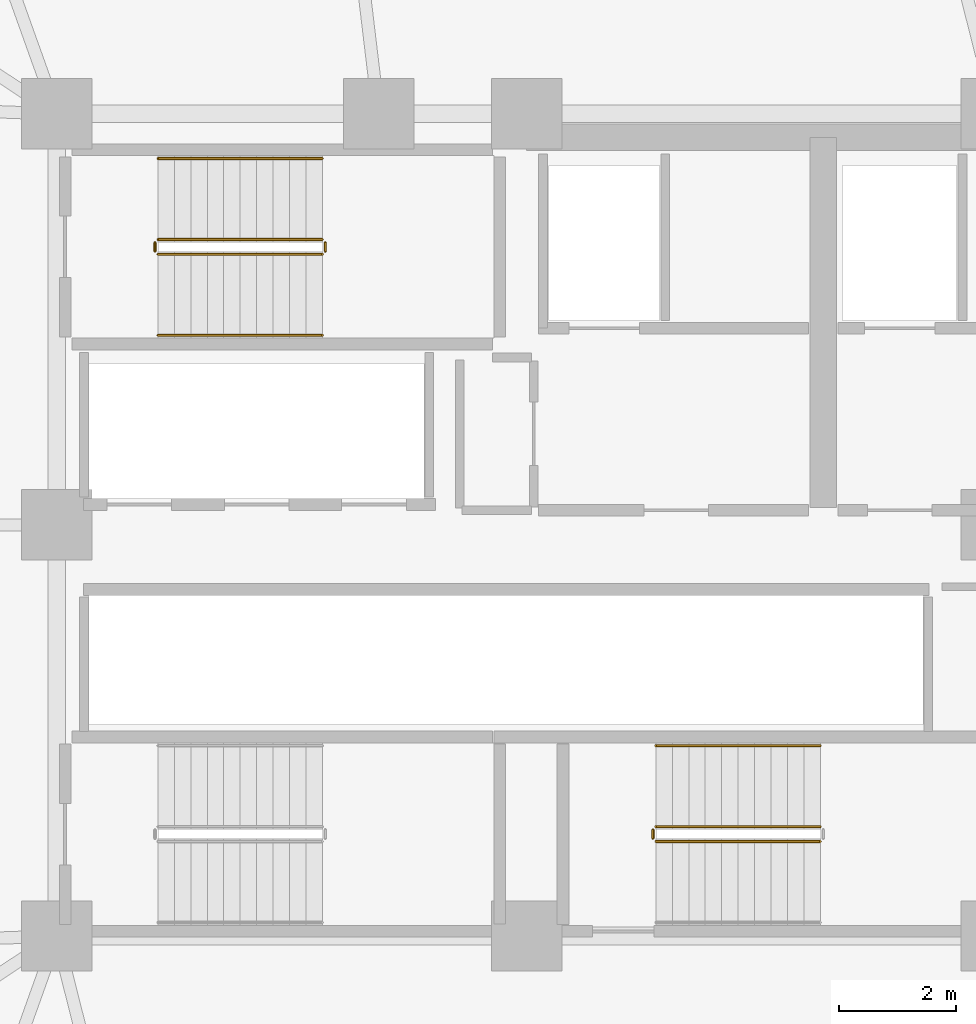
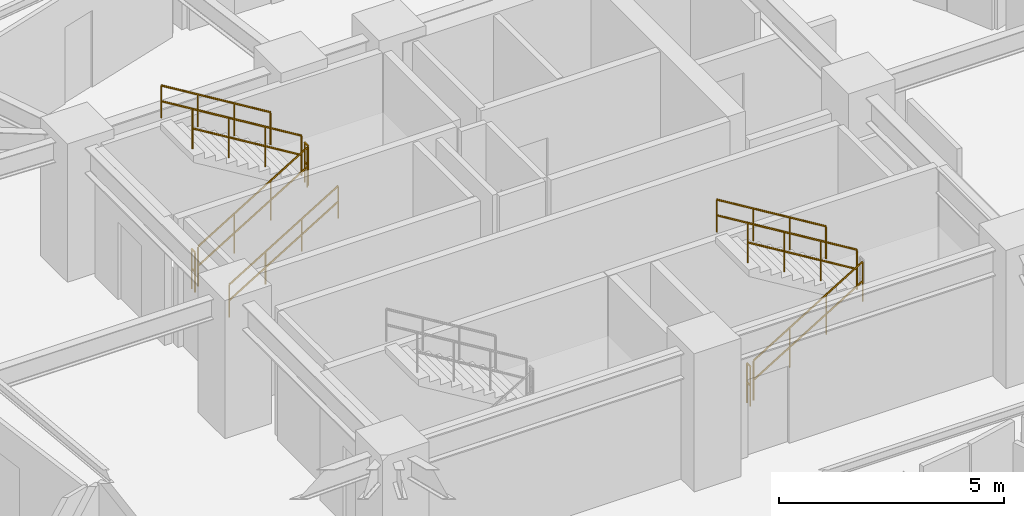
# One storey, part 35 of 37: 10 railings.
"""IFC4 building model written with IfcOpenShell, lengths in metres."""

import ifcopenshell
import ifcopenshell.guid

model = None  # the IFC model being written
_history = None  # IfcOwnerHistory: only IFC2X3 demands one
_inside = {}  # id of a spatial element -> (the spatial element, [elements in it])
_under = {}  # id of a project, library or spatial element -> (it, [spatial elements below it])
_declared = {}  # id of a project -> (the project, [libraries it declares])
_typed = {}  # id of a type object -> (the type object, [elements of that type])
_made_of = {}  # id of a material, layer set ... -> (it, [elements and type objects made of it])


def new_model(schema):
    """Start an empty IFC model of exactly this schema.

    Asked for "IFC4X3", IfcOpenShell would pick the latest addendum, in which some entities
    have other attributes; the version numbers below select the first issue.
    IFC2X3 requires an IfcOwnerHistory on every rooted entity: one is made here for all.
    """
    global model, _history
    if schema == "IFC4X3":
        model = ifcopenshell.file(schema_version=(4, 3, 0, 0))
    else:
        model = ifcopenshell.file(schema=schema)
    _inside.clear()
    _under.clear()
    _declared.clear()
    _typed.clear()
    _made_of.clear()
    _history = None
    if model.schema == "IFC2X3":
        org = make("IfcOrganization", Name="unknown")
        user = make(
            "IfcPersonAndOrganization",
            ThePerson=make("IfcPerson", FamilyName="unknown"),
            TheOrganization=org,
        )
        app = make(
            "IfcApplication",
            ApplicationDeveloper=org,
            Version="unknown",
            ApplicationFullName="unknown",
            ApplicationIdentifier="unknown",
        )
        _history = make(
            "IfcOwnerHistory",
            OwningUser=user,
            OwningApplication=app,
            ChangeAction="ADDED",
            CreationDate=0,
        )
    return model


def make(cls, **values):
    """One entity of the class cls with the attributes given. An attribute that is None is left unset."""
    return model.create_entity(
        cls, **{name: value for name, value in values.items() if value is not None}
    )


def rooted(cls, **values):
    """An entity with a GlobalId (a new one), such as an element, a storey or a relation."""
    return make(cls, GlobalId=ifcopenshell.guid.new(), OwnerHistory=_history, **values)


def si_unit(unit_type, name, prefix=None):
    """IfcSIUnit, for example si_unit("LENGTHUNIT", "METRE", prefix="MILLI")."""
    return make("IfcSIUnit", UnitType=unit_type, Prefix=prefix, Name=name)


def assignment(units):
    """IfcUnitAssignment: the units of a project."""
    return None if units is None else make("IfcUnitAssignment", Units=units)


def point(xyz):
    """IfcCartesianPoint."""
    return None if xyz is None else make("IfcCartesianPoint", Coordinates=xyz)


def direction(xyz):
    """IfcDirection."""
    return None if xyz is None else make("IfcDirection", DirectionRatios=xyz)


def frame(location, z_axis=None, x_axis=None):
    """IfcAxis2Placement3D, a coordinate frame: its origin and axes. An axis left out is left unset."""
    return make(
        "IfcAxis2Placement3D",
        Location=point(location),
        Axis=direction(z_axis),
        RefDirection=direction(x_axis),
    )


def origin():
    """The frame at (0, 0, 0) with its axes left unset."""
    return frame((0.0, 0.0, 0.0))


def place(relative_to, where):
    """IfcLocalPlacement: puts the frame where relative to a parent placement (None: the world)."""
    return make(
        "IfcLocalPlacement", PlacementRelTo=relative_to, RelativePlacement=where
    )


def context(
    kind, dimensions, precision=None, world=None, true_north=None, identifier=None
):
    """IfcGeometricRepresentationContext, for example the 3D "Model" context."""
    return make(
        "IfcGeometricRepresentationContext",
        ContextIdentifier=identifier,
        ContextType=kind,
        CoordinateSpaceDimension=dimensions,
        Precision=precision,
        WorldCoordinateSystem=world,
        TrueNorth=true_north,
    )


def subcontext(parent, identifier, kind, view, scale=None):
    """IfcGeometricRepresentationSubContext, for example "Body" below "Model"."""
    return make(
        "IfcGeometricRepresentationSubContext",
        ContextIdentifier=identifier,
        ContextType=kind,
        ParentContext=parent,
        TargetScale=scale,
        TargetView=view,
    )


def project(units=None, contexts=None):
    """IfcProject with its units and contexts."""
    return rooted(
        "IfcProject",
        Name="project",
        RepresentationContexts=contexts,
        UnitsInContext=assignment(units),
    )


def spatial(cls, under=None, at=None, **own):
    """A site, building, storey or space (cls), placed at a placement, below another one or the project."""
    s = rooted(cls, ObjectPlacement=at, **own)
    if under is not None:
        _under.setdefault(under.id(), (under, []))[1].append(s)
    return s


def polyline(points):
    """IfcPolyline through the points."""
    return make("IfcPolyline", Points=[point(p) for p in points])


def outline(outer, holes=None, kind="AREA"):
    """IfcArbitraryClosedProfileDef: a profile drawn as a closed curve; with holes, ...WithVoids."""
    if holes is None:
        return make("IfcArbitraryClosedProfileDef", ProfileType=kind, OuterCurve=outer)
    return make(
        "IfcArbitraryProfileDefWithVoids",
        ProfileType=kind,
        OuterCurve=outer,
        InnerCurves=holes,
    )


def extrude(swept, where, along, depth):
    """IfcExtrudedAreaSolid: the profile swept, set in the frame where, extruded along a direction by depth."""
    return make(
        "IfcExtrudedAreaSolid",
        SweptArea=swept,
        Position=where,
        ExtrudedDirection=direction(along),
        Depth=depth,
    )


def shape(context_of_items, identifier, shape_type, items):
    """IfcShapeRepresentation: the items that make up one representation, for example the "Body"."""
    return make(
        "IfcShapeRepresentation",
        ContextOfItems=context_of_items,
        RepresentationIdentifier=identifier,
        RepresentationType=shape_type,
        Items=items,
    )


def material(Name=None, Category=None):
    """IfcMaterial."""
    return make("IfcMaterial", Name=Name, Category=Category)


def made_of(thing, what):
    """Note that an element or type object is made of a material, layer set ...; save() writes the relation."""
    if what is not None:
        _made_of.setdefault(what.id(), (what, []))[1].append(thing)
    return thing


def type_object(cls, material=None, **own):
    """A type object (cls), such as IfcWallType, which elements share."""
    return made_of(rooted(cls, **own), material)


def element(
    cls,
    number,
    at=None,
    inside=None,
    cuts=None,
    type_object=None,
    material=None,
    context=None,
    identifier="Body",
    shape_type=None,
    held_by="IfcProductDefinitionShape",
    body=None,
    shapes=None,
    **own,
):
    """One element of the class cls, such as IfcWall. Its Tag is "e" and its number.

    at: its placement. inside: the storey or other place that contains it. cuts: it is an
    opening in that element (IfcRelVoidsElement). A single representation is given by context,
    identifier, shape_type and body (its items); several are given by shapes. held_by: the class
    of the entity that holds the representations. save() writes the other relations.
    """
    e = rooted(cls, Tag="e%d" % number, ObjectPlacement=at, **own)
    if body is not None:
        shapes = [shape(context, identifier, shape_type, body)]
    if shapes is not None:
        e.Representation = make(held_by, Representations=shapes)
    if inside is not None:
        _inside.setdefault(inside.id(), (inside, []))[1].append(e)
    if cuts is not None:
        rooted(
            "IfcRelVoidsElement", RelatingBuildingElement=cuts, RelatedOpeningElement=e
        )
    if type_object is not None:
        _typed.setdefault(type_object.id(), (type_object, []))[1].append(e)
    return made_of(e, material)


def aggregate(whole, parts):
    """IfcRelAggregates: a whole, such as a stair, and the parts it consists of."""
    return rooted("IfcRelAggregates", RelatingObject=whole, RelatedObjects=parts)


def save(model, path):
    """Write the relations noted so far, then the file.

    IfcRelAggregates (storeys below a building ...), IfcRelContainedInSpatialStructure (elements
    in a storey), IfcRelDefinesByType, IfcRelAssociatesMaterial and IfcRelDeclares: one each for
    every whole, place, type object, material and project.
    """
    for whole, parts in _under.values():
        aggregate(whole, parts)
    for where, things in _inside.values():
        rooted(
            "IfcRelContainedInSpatialStructure",
            RelatedElements=things,
            RelatingStructure=where,
        )
    for kind, things in _typed.values():
        rooted("IfcRelDefinesByType", RelatedObjects=things, RelatingType=kind)
    for what, things in _made_of.values():
        rooted("IfcRelAssociatesMaterial", RelatedObjects=things, RelatingMaterial=what)
    for by, libraries in _declared.values():
        rooted("IfcRelDeclares", RelatingContext=by, RelatedDefinitions=libraries)
    model.write(path)


model = new_model("IFC4")

# Units and contexts
model_context = context("Model", 3, precision=1e-05, world=origin(), true_north=direction((0.0, 1.0)))
body_context = subcontext(model_context, "Body", "Model", "MODEL_VIEW")
ifc_project = project(units=[si_unit("LENGTHUNIT", "METRE"), si_unit("AREAUNIT", "SQUARE_METRE"), si_unit("VOLUMEUNIT", "CUBIC_METRE"), si_unit("PLANEANGLEUNIT", "RADIAN"), si_unit("MASSUNIT", "GRAM", prefix="KILO")], contexts=[model_context])

# Site, building, storey
site_placement = place(None, origin())
site = spatial("IfcSite", under=ifc_project, at=site_placement, CompositionType="ELEMENT")
building_placement = place(site_placement, origin())
building = spatial("IfcBuilding", under=site, at=building_placement, Name="Kelanora Arch Commons", CompositionType="ELEMENT")
storey_placement = place(building_placement, frame((0.0, 0.0, 113.85009765625)))
storey = spatial("IfcBuildingStorey", under=building, at=storey_placement, Name="L29", CompositionType="ELEMENT", Elevation=113.85009765625)

# Railings
ifc_material_1 = material(Name="Painted steel stair well guard", Category="steel")
railing_type_1 = type_object("IfcRailingType", Name="RAIL-STAIR-GRD", PredefinedType="GUARDRAIL", material=ifc_material_1)
railing_1_placement = place(storey_placement, frame((67.719970703125, 62.610107421875, 0.17041015625)))
element("IfcRailing", 1, at=railing_1_placement, inside=storey, type_object=railing_type_1, Name="L29 ST-T1 stair guard 1", PredefinedType="GUARDRAIL", context=body_context, shape_type="SweptSolid", body=[
    extrude(outline(polyline([(0.02392578125, 0.0), (0.011962890625, 0.020751953125), (-0.011962890625, 0.020751953125), (-0.02392578125, 0.0), (-0.011962890625, -0.020751953125), (0.011962890625, -0.020751953125), (0.02392578125, 0.0)])), frame((0.0, 0.0, 1.076171875), z_axis=(0.854169791009, 0.0, 0.51999420009), x_axis=(0.0, 1.0, 0.0)), (0.0, 0.0, 1.0), 3.278076171875),
    extrude(outline(polyline([(0.02392578125, 0.0), (0.011962890625, 0.020751953125), (-0.011962890625, 0.020751953125), (-0.02392578125, 0.0), (-0.011962890625, -0.020751953125), (0.011962890625, -0.020751953125), (0.02392578125, 0.0)])), frame((0.0, 0.0, 0.550048828125), z_axis=(0.854169791009, 0.0, 0.51999420009), x_axis=(0.0, 1.0, 0.0)), (0.0, 0.0, 1.0), 3.278076171875),
    extrude(outline(polyline([(0.02099609375, 0.0), (0.010498046875, 0.01806640625), (-0.010498046875, 0.01806640625), (-0.02099609375, 0.0), (-0.010498046875, -0.01806640625), (0.010498046875, -0.01806640625), (0.02099609375, 0.0)])), origin(), (0.0, 0.0, 1.0), 1.052001953125),
    extrude(outline(polyline([(0.02099609375, 0.0), (0.010498046875, 0.01806640625), (-0.010498046875, 0.01806640625), (-0.02099609375, 0.0), (-0.010498046875, -0.01806640625), (0.010498046875, -0.01806640625), (0.02099609375, 0.0)])), frame((0.933349609375, 0.0, 0.568115234375)), (0.0, 0.0, 1.0), 1.052001953125),
    extrude(outline(polyline([(0.02099609375, 0.0), (0.010498046875, 0.01806640625), (-0.010498046875, 0.01806640625), (-0.02099609375, 0.0), (-0.010498046875, -0.01806640625), (0.010498046875, -0.01806640625), (0.02099609375, 0.0)])), frame((1.86669921875, 0.0, 1.136474609375)), (0.0, 0.0, 1.0), 1.052001953125),
    extrude(outline(polyline([(0.02099609375, 0.0), (0.010498046875, 0.01806640625), (-0.010498046875, 0.01806640625), (-0.02099609375, 0.0), (-0.010498046875, -0.01806640625), (0.010498046875, -0.01806640625), (0.02099609375, 0.0)])), frame((2.800048828125, 0.0, 1.70458984375)), (0.0, 0.0, 1.0), 1.052001953125),
])
railing_2_placement = place(storey_placement, frame((70.570068359375, 62.659912109375, 1.875)))
element("IfcRailing", 2, at=railing_2_placement, inside=storey, type_object=railing_type_1, Name="L29 ST-T1 stair guard 2", PredefinedType="GUARDRAIL", context=body_context, shape_type="SweptSolid", body=[
    extrude(outline(polyline([(0.02392578125, 0.0), (0.011962890625, 0.020751953125), (-0.011962890625, 0.020751953125), (-0.02392578125, 0.0), (-0.011962890625, -0.020751953125), (0.011962890625, -0.020751953125), (0.02392578125, 0.0)])), frame((0.0, 0.0, 1.076171875), z_axis=(0.0, 1.0, 0.0), x_axis=(-1.0, 0.0, 0.0)), (0.0, 0.0, 1.0), 0.150146484375),
    extrude(outline(polyline([(0.02392578125, 0.0), (0.011962890625, 0.020751953125), (-0.011962890625, 0.020751953125), (-0.02392578125, 0.0), (-0.011962890625, -0.020751953125), (0.011962890625, -0.020751953125), (0.02392578125, 0.0)])), frame((0.0, 0.0, 0.550048828125), z_axis=(0.0, 1.0, 0.0), x_axis=(-1.0, 0.0, 0.0)), (0.0, 0.0, 1.0), 0.150146484375),
    extrude(outline(polyline([(0.02099609375, 0.0), (0.010498046875, 0.01806640625), (-0.010498046875, 0.01806640625), (-0.02099609375, 0.0), (-0.010498046875, -0.01806640625), (0.010498046875, -0.01806640625), (0.02099609375, 0.0)])), origin(), (0.0, 0.0, 1.0), 1.052001953125),
    extrude(outline(polyline([(0.02099609375, 0.0), (0.010498046875, 0.01806640625), (-0.010498046875, 0.01806640625), (-0.02099609375, 0.0), (-0.010498046875, -0.01806640625), (0.010498046875, -0.01806640625), (0.02099609375, 0.0)])), frame((0.0, 0.150146484375, 0.0)), (0.0, 0.0, 1.0), 1.052001953125),
])
railing_3_placement = place(storey_placement, frame((70.52001953125, 62.860107421875, 2.04541015625)))
element("IfcRailing", 3, at=railing_3_placement, inside=storey, type_object=railing_type_1, Name="L29 ST-T1 stair guard 3", PredefinedType="GUARDRAIL", context=body_context, shape_type="SweptSolid", body=[
    extrude(outline(polyline([(0.02392578125, 0.0), (0.011962890625, 0.020751953125), (-0.011962890625, 0.020751953125), (-0.02392578125, 0.0), (-0.011962890625, -0.020751953125), (0.011962890625, -0.020751953125), (0.02392578125, 0.0)])), frame((0.0, 0.0, 1.076171875), z_axis=(-0.854169791009, 0.0, 0.51999420009), x_axis=(0.0, -1.0, 0.0)), (0.0, 0.0, 1.0), 3.278076171875),
    extrude(outline(polyline([(0.02392578125, 0.0), (0.011962890625, 0.020751953125), (-0.011962890625, 0.020751953125), (-0.02392578125, 0.0), (-0.011962890625, -0.020751953125), (0.011962890625, -0.020751953125), (0.02392578125, 0.0)])), frame((0.0, 0.0, 0.550048828125), z_axis=(-0.854169791009, 0.0, 0.51999420009), x_axis=(0.0, -1.0, 0.0)), (0.0, 0.0, 1.0), 3.278076171875),
    extrude(outline(polyline([(0.02099609375, 0.0), (0.010498046875, 0.01806640625), (-0.010498046875, 0.01806640625), (-0.02099609375, 0.0), (-0.010498046875, -0.01806640625), (0.010498046875, -0.01806640625), (0.02099609375, 0.0)])), origin(), (0.0, 0.0, 1.0), 1.052001953125),
    extrude(outline(polyline([(0.02099609375, 0.0), (0.010498046875, 0.01806640625), (-0.010498046875, 0.01806640625), (-0.02099609375, 0.0), (-0.010498046875, -0.01806640625), (0.010498046875, -0.01806640625), (0.02099609375, 0.0)])), frame((-0.933349609375, 0.0, 0.568115234375)), (0.0, 0.0, 1.0), 1.052001953125),
    extrude(outline(polyline([(0.02099609375, 0.0), (0.010498046875, 0.01806640625), (-0.010498046875, 0.01806640625), (-0.02099609375, 0.0), (-0.010498046875, -0.01806640625), (0.010498046875, -0.01806640625), (0.02099609375, 0.0)])), frame((-1.86669921875, 0.0, 1.136474609375)), (0.0, 0.0, 1.0), 1.052001953125),
    extrude(outline(polyline([(0.02099609375, 0.0), (0.010498046875, 0.01806640625), (-0.010498046875, 0.01806640625), (-0.02099609375, 0.0), (-0.010498046875, -0.01806640625), (0.010498046875, -0.01806640625), (0.02099609375, 0.0)])), frame((-2.800048828125, 0.0, 1.70458984375)), (0.0, 0.0, 1.0), 1.052001953125),
])
railing_4_placement = place(storey_placement, frame((67.669921875, 62.659912109375, 0.0)))
element("IfcRailing", 4, at=railing_4_placement, inside=storey, type_object=railing_type_1, Name="L29 ST-T1 stair guard 4", PredefinedType="GUARDRAIL", context=body_context, shape_type="SweptSolid", body=[
    extrude(outline(polyline([(0.02392578125, 0.0), (0.011962890625, 0.020751953125), (-0.011962890625, 0.020751953125), (-0.02392578125, 0.0), (-0.011962890625, -0.020751953125), (0.011962890625, -0.020751953125), (0.02392578125, 0.0)])), frame((0.0, 0.0, 1.076171875), z_axis=(0.0, 1.0, 0.0), x_axis=(-1.0, 0.0, 0.0)), (0.0, 0.0, 1.0), 0.150146484375),
    extrude(outline(polyline([(0.02392578125, 0.0), (0.011962890625, 0.020751953125), (-0.011962890625, 0.020751953125), (-0.02392578125, 0.0), (-0.011962890625, -0.020751953125), (0.011962890625, -0.020751953125), (0.02392578125, 0.0)])), frame((0.0, 0.0, 0.550048828125), z_axis=(0.0, 1.0, 0.0), x_axis=(-1.0, 0.0, 0.0)), (0.0, 0.0, 1.0), 0.150146484375),
    extrude(outline(polyline([(0.02099609375, 0.0), (0.010498046875, 0.01806640625), (-0.010498046875, 0.01806640625), (-0.02099609375, 0.0), (-0.010498046875, -0.01806640625), (0.010498046875, -0.01806640625), (0.02099609375, 0.0)])), origin(), (0.0, 0.0, 1.0), 1.052001953125),
    extrude(outline(polyline([(0.02099609375, 0.0), (0.010498046875, 0.01806640625), (-0.010498046875, 0.01806640625), (-0.02099609375, 0.0), (-0.010498046875, -0.01806640625), (0.010498046875, -0.01806640625), (0.02099609375, 0.0)])), frame((0.0, 0.150146484375, 0.0)), (0.0, 0.0, 1.0), 1.052001953125),
])
railing_5_placement = place(storey_placement, frame((76.199951171875, 52.610107421875, 0.17041015625)))
element("IfcRailing", 5, at=railing_5_placement, inside=storey, type_object=railing_type_1, Name="L29 ST-T2 stair guard 1", PredefinedType="GUARDRAIL", context=body_context, shape_type="SweptSolid", body=[
    extrude(outline(polyline([(0.02392578125, 0.0), (0.011962890625, 0.020751953125), (-0.011962890625, 0.020751953125), (-0.02392578125, 0.0), (-0.011962890625, -0.020751953125), (0.011962890625, -0.020751953125), (0.02392578125, 0.0)])), frame((0.0, 0.0, 1.076171875), z_axis=(0.854169791009, 0.0, 0.51999420009), x_axis=(0.0, 1.0, 0.0)), (0.0, 0.0, 1.0), 3.278076171875),
    extrude(outline(polyline([(0.02392578125, 0.0), (0.011962890625, 0.020751953125), (-0.011962890625, 0.020751953125), (-0.02392578125, 0.0), (-0.011962890625, -0.020751953125), (0.011962890625, -0.020751953125), (0.02392578125, 0.0)])), frame((0.0, 0.0, 0.550048828125), z_axis=(0.854169791009, 0.0, 0.51999420009), x_axis=(0.0, 1.0, 0.0)), (0.0, 0.0, 1.0), 3.278076171875),
    extrude(outline(polyline([(0.02099609375, 0.0), (0.010498046875, 0.01806640625), (-0.010498046875, 0.01806640625), (-0.02099609375, 0.0), (-0.010498046875, -0.01806640625), (0.010498046875, -0.01806640625), (0.02099609375, 0.0)])), origin(), (0.0, 0.0, 1.0), 1.052001953125),
    extrude(outline(polyline([(0.02099609375, 0.0), (0.010498046875, 0.01806640625), (-0.010498046875, 0.01806640625), (-0.02099609375, 0.0), (-0.010498046875, -0.01806640625), (0.010498046875, -0.01806640625), (0.02099609375, 0.0)])), frame((0.933349609375, 0.0, 0.568115234375)), (0.0, 0.0, 1.0), 1.052001953125),
    extrude(outline(polyline([(0.02099609375, 0.0), (0.010498046875, 0.01806640625), (-0.010498046875, 0.01806640625), (-0.02099609375, 0.0), (-0.010498046875, -0.01806640625), (0.010498046875, -0.01806640625), (0.02099609375, 0.0)])), frame((1.86669921875, 0.0, 1.136474609375)), (0.0, 0.0, 1.0), 1.052001953125),
    extrude(outline(polyline([(0.02099609375, 0.0), (0.010498046875, 0.01806640625), (-0.010498046875, 0.01806640625), (-0.02099609375, 0.0), (-0.010498046875, -0.01806640625), (0.010498046875, -0.01806640625), (0.02099609375, 0.0)])), frame((2.800048828125, 0.0, 1.70458984375)), (0.0, 0.0, 1.0), 1.052001953125),
])
railing_6_placement = place(storey_placement, frame((79.0, 52.860107421875, 2.04541015625)))
element("IfcRailing", 6, at=railing_6_placement, inside=storey, type_object=railing_type_1, Name="L29 ST-T2 stair guard 3", PredefinedType="GUARDRAIL", context=body_context, shape_type="SweptSolid", body=[
    extrude(outline(polyline([(0.02392578125, 0.0), (0.011962890625, 0.020751953125), (-0.011962890625, 0.020751953125), (-0.02392578125, 0.0), (-0.011962890625, -0.020751953125), (0.011962890625, -0.020751953125), (0.02392578125, 0.0)])), frame((0.0, 0.0, 1.076171875), z_axis=(-0.854169791009, 0.0, 0.51999420009), x_axis=(0.0, -1.0, 0.0)), (0.0, 0.0, 1.0), 3.278076171875),
    extrude(outline(polyline([(0.02392578125, 0.0), (0.011962890625, 0.020751953125), (-0.011962890625, 0.020751953125), (-0.02392578125, 0.0), (-0.011962890625, -0.020751953125), (0.011962890625, -0.020751953125), (0.02392578125, 0.0)])), frame((0.0, 0.0, 0.550048828125), z_axis=(-0.854169791009, 0.0, 0.51999420009), x_axis=(0.0, -1.0, 0.0)), (0.0, 0.0, 1.0), 3.278076171875),
    extrude(outline(polyline([(0.02099609375, 0.0), (0.010498046875, 0.01806640625), (-0.010498046875, 0.01806640625), (-0.02099609375, 0.0), (-0.010498046875, -0.01806640625), (0.010498046875, -0.01806640625), (0.02099609375, 0.0)])), origin(), (0.0, 0.0, 1.0), 1.052001953125),
    extrude(outline(polyline([(0.02099609375, 0.0), (0.010498046875, 0.01806640625), (-0.010498046875, 0.01806640625), (-0.02099609375, 0.0), (-0.010498046875, -0.01806640625), (0.010498046875, -0.01806640625), (0.02099609375, 0.0)])), frame((-0.933349609375, 0.0, 0.568115234375)), (0.0, 0.0, 1.0), 1.052001953125),
    extrude(outline(polyline([(0.02099609375, 0.0), (0.010498046875, 0.01806640625), (-0.010498046875, 0.01806640625), (-0.02099609375, 0.0), (-0.010498046875, -0.01806640625), (0.010498046875, -0.01806640625), (0.02099609375, 0.0)])), frame((-1.86669921875, 0.0, 1.136474609375)), (0.0, 0.0, 1.0), 1.052001953125),
    extrude(outline(polyline([(0.02099609375, 0.0), (0.010498046875, 0.01806640625), (-0.010498046875, 0.01806640625), (-0.02099609375, 0.0), (-0.010498046875, -0.01806640625), (0.010498046875, -0.01806640625), (0.02099609375, 0.0)])), frame((-2.800048828125, 0.0, 1.70458984375)), (0.0, 0.0, 1.0), 1.052001953125),
])
railing_7_placement = place(storey_placement, frame((76.14990234375, 52.659912109375, 0.0)))
element("IfcRailing", 7, at=railing_7_placement, inside=storey, type_object=railing_type_1, Name="L29 ST-T2 stair guard 4", PredefinedType="GUARDRAIL", context=body_context, shape_type="SweptSolid", body=[
    extrude(outline(polyline([(0.02392578125, 0.0), (0.011962890625, 0.020751953125), (-0.011962890625, 0.020751953125), (-0.02392578125, 0.0), (-0.011962890625, -0.020751953125), (0.011962890625, -0.020751953125), (0.02392578125, 0.0)])), frame((0.0, 0.0, 1.076171875), z_axis=(0.0, 1.0, 0.0), x_axis=(-1.0, 0.0, 0.0)), (0.0, 0.0, 1.0), 0.150146484375),
    extrude(outline(polyline([(0.02392578125, 0.0), (0.011962890625, 0.020751953125), (-0.011962890625, 0.020751953125), (-0.02392578125, 0.0), (-0.011962890625, -0.020751953125), (0.011962890625, -0.020751953125), (0.02392578125, 0.0)])), frame((0.0, 0.0, 0.550048828125), z_axis=(0.0, 1.0, 0.0), x_axis=(-1.0, 0.0, 0.0)), (0.0, 0.0, 1.0), 0.150146484375),
    extrude(outline(polyline([(0.02099609375, 0.0), (0.010498046875, 0.01806640625), (-0.010498046875, 0.01806640625), (-0.02099609375, 0.0), (-0.010498046875, -0.01806640625), (0.010498046875, -0.01806640625), (0.02099609375, 0.0)])), origin(), (0.0, 0.0, 1.0), 1.052001953125),
    extrude(outline(polyline([(0.02099609375, 0.0), (0.010498046875, 0.01806640625), (-0.010498046875, 0.01806640625), (-0.02099609375, 0.0), (-0.010498046875, -0.01806640625), (0.010498046875, -0.01806640625), (0.02099609375, 0.0)])), frame((0.0, 0.150146484375, 0.0)), (0.0, 0.0, 1.0), 1.052001953125),
])
ifc_material_2 = material(Name="Brushed stainless steel stair handrail", Category="steel")
railing_type_2 = type_object("IfcRailingType", Name="RAIL-STAIR-HND", PredefinedType="HANDRAIL", material=ifc_material_2)
railing_8_placement = place(storey_placement, frame((67.719970703125, 61.22998046875, 0.17041015625)))
element("IfcRailing", 8, at=railing_8_placement, inside=storey, type_object=railing_type_2, Name="L29 ST-T1 stair handrail 1", PredefinedType="HANDRAIL", context=body_context, shape_type="SweptSolid", body=[
    extrude(outline(polyline([(0.02392578125, 0.0), (0.011962890625, 0.020751953125), (-0.011962890625, 0.020751953125), (-0.02392578125, 0.0), (-0.011962890625, -0.020751953125), (0.011962890625, -0.020751953125), (0.02392578125, 0.0)])), frame((0.0, 0.0, 0.8759765625), z_axis=(0.854169791009, 0.0, 0.51999420009), x_axis=(0.0, 1.0, 0.0)), (0.0, 0.0, 1.0), 3.278076171875),
    extrude(outline(polyline([(0.02392578125, 0.0), (0.011962890625, 0.020751953125), (-0.011962890625, 0.020751953125), (-0.02392578125, 0.0), (-0.011962890625, -0.020751953125), (0.011962890625, -0.020751953125), (0.02392578125, 0.0)])), frame((0.0, 0.0, 0.449951171875), z_axis=(0.854169791009, 0.0, 0.51999420009), x_axis=(0.0, 1.0, 0.0)), (0.0, 0.0, 1.0), 3.278076171875),
    extrude(outline(polyline([(0.02099609375, 0.0), (0.010498046875, 0.01806640625), (-0.010498046875, 0.01806640625), (-0.02099609375, 0.0), (-0.010498046875, -0.01806640625), (0.010498046875, -0.01806640625), (0.02099609375, 0.0)])), origin(), (0.0, 0.0, 1.0), 0.851806640625),
    extrude(outline(polyline([(0.02099609375, 0.0), (0.010498046875, 0.01806640625), (-0.010498046875, 0.01806640625), (-0.02099609375, 0.0), (-0.010498046875, -0.01806640625), (0.010498046875, -0.01806640625), (0.02099609375, 0.0)])), frame((0.933349609375, 0.0, 0.568115234375)), (0.0, 0.0, 1.0), 0.851806640625),
    extrude(outline(polyline([(0.02099609375, 0.0), (0.010498046875, 0.01806640625), (-0.010498046875, 0.01806640625), (-0.02099609375, 0.0), (-0.010498046875, -0.01806640625), (0.010498046875, -0.01806640625), (0.02099609375, 0.0)])), frame((1.86669921875, 0.0, 1.136474609375)), (0.0, 0.0, 1.0), 0.851806640625),
    extrude(outline(polyline([(0.02099609375, 0.0), (0.010498046875, 0.01806640625), (-0.010498046875, 0.01806640625), (-0.02099609375, 0.0), (-0.010498046875, -0.01806640625), (0.010498046875, -0.01806640625), (0.02099609375, 0.0)])), frame((2.800048828125, 0.0, 1.70458984375)), (0.0, 0.0, 1.0), 0.851806640625),
])
railing_9_placement = place(storey_placement, frame((70.52001953125, 64.239990234375, 2.04541015625)))
element("IfcRailing", 9, at=railing_9_placement, inside=storey, type_object=railing_type_2, Name="L29 ST-T1 stair handrail 2", PredefinedType="HANDRAIL", context=body_context, shape_type="SweptSolid", body=[
    extrude(outline(polyline([(0.02392578125, 0.0), (0.011962890625, 0.020751953125), (-0.011962890625, 0.020751953125), (-0.02392578125, 0.0), (-0.011962890625, -0.020751953125), (0.011962890625, -0.020751953125), (0.02392578125, 0.0)])), frame((0.0, 0.0, 0.8759765625), z_axis=(-0.854169791009, 0.0, 0.51999420009), x_axis=(0.0, -1.0, 0.0)), (0.0, 0.0, 1.0), 3.278076171875),
    extrude(outline(polyline([(0.02392578125, 0.0), (0.011962890625, 0.020751953125), (-0.011962890625, 0.020751953125), (-0.02392578125, 0.0), (-0.011962890625, -0.020751953125), (0.011962890625, -0.020751953125), (0.02392578125, 0.0)])), frame((0.0, 0.0, 0.449951171875), z_axis=(-0.854169791009, 0.0, 0.51999420009), x_axis=(0.0, -1.0, 0.0)), (0.0, 0.0, 1.0), 3.278076171875),
    extrude(outline(polyline([(0.02099609375, 0.0), (0.010498046875, 0.01806640625), (-0.010498046875, 0.01806640625), (-0.02099609375, 0.0), (-0.010498046875, -0.01806640625), (0.010498046875, -0.01806640625), (0.02099609375, 0.0)])), origin(), (0.0, 0.0, 1.0), 0.851806640625),
    extrude(outline(polyline([(0.02099609375, 0.0), (0.010498046875, 0.01806640625), (-0.010498046875, 0.01806640625), (-0.02099609375, 0.0), (-0.010498046875, -0.01806640625), (0.010498046875, -0.01806640625), (0.02099609375, 0.0)])), frame((-0.933349609375, 0.0, 0.568115234375)), (0.0, 0.0, 1.0), 0.851806640625),
    extrude(outline(polyline([(0.02099609375, 0.0), (0.010498046875, 0.01806640625), (-0.010498046875, 0.01806640625), (-0.02099609375, 0.0), (-0.010498046875, -0.01806640625), (0.010498046875, -0.01806640625), (0.02099609375, 0.0)])), frame((-1.86669921875, 0.0, 1.136474609375)), (0.0, 0.0, 1.0), 0.851806640625),
    extrude(outline(polyline([(0.02099609375, 0.0), (0.010498046875, 0.01806640625), (-0.010498046875, 0.01806640625), (-0.02099609375, 0.0), (-0.010498046875, -0.01806640625), (0.010498046875, -0.01806640625), (0.02099609375, 0.0)])), frame((-2.800048828125, 0.0, 1.70458984375)), (0.0, 0.0, 1.0), 0.851806640625),
])
railing_10_placement = place(storey_placement, frame((79.0, 54.239990234375, 2.04541015625)))
element("IfcRailing", 10, at=railing_10_placement, inside=storey, type_object=railing_type_2, Name="L29 ST-T2 stair handrail 2", PredefinedType="HANDRAIL", context=body_context, shape_type="SweptSolid", body=[
    extrude(outline(polyline([(0.02392578125, 0.0), (0.011962890625, 0.020751953125), (-0.011962890625, 0.020751953125), (-0.02392578125, 0.0), (-0.011962890625, -0.020751953125), (0.011962890625, -0.020751953125), (0.02392578125, 0.0)])), frame((0.0, 0.0, 0.8759765625), z_axis=(-0.854169791009, 0.0, 0.51999420009), x_axis=(0.0, -1.0, 0.0)), (0.0, 0.0, 1.0), 3.278076171875),
    extrude(outline(polyline([(0.02392578125, 0.0), (0.011962890625, 0.020751953125), (-0.011962890625, 0.020751953125), (-0.02392578125, 0.0), (-0.011962890625, -0.020751953125), (0.011962890625, -0.020751953125), (0.02392578125, 0.0)])), frame((0.0, 0.0, 0.449951171875), z_axis=(-0.854169791009, 0.0, 0.51999420009), x_axis=(0.0, -1.0, 0.0)), (0.0, 0.0, 1.0), 3.278076171875),
    extrude(outline(polyline([(0.02099609375, 0.0), (0.010498046875, 0.01806640625), (-0.010498046875, 0.01806640625), (-0.02099609375, 0.0), (-0.010498046875, -0.01806640625), (0.010498046875, -0.01806640625), (0.02099609375, 0.0)])), origin(), (0.0, 0.0, 1.0), 0.851806640625),
    extrude(outline(polyline([(0.02099609375, 0.0), (0.010498046875, 0.01806640625), (-0.010498046875, 0.01806640625), (-0.02099609375, 0.0), (-0.010498046875, -0.01806640625), (0.010498046875, -0.01806640625), (0.02099609375, 0.0)])), frame((-0.933349609375, 0.0, 0.568115234375)), (0.0, 0.0, 1.0), 0.851806640625),
    extrude(outline(polyline([(0.02099609375, 0.0), (0.010498046875, 0.01806640625), (-0.010498046875, 0.01806640625), (-0.02099609375, 0.0), (-0.010498046875, -0.01806640625), (0.010498046875, -0.01806640625), (0.02099609375, 0.0)])), frame((-1.86669921875, 0.0, 1.136474609375)), (0.0, 0.0, 1.0), 0.851806640625),
    extrude(outline(polyline([(0.02099609375, 0.0), (0.010498046875, 0.01806640625), (-0.010498046875, 0.01806640625), (-0.02099609375, 0.0), (-0.010498046875, -0.01806640625), (0.010498046875, -0.01806640625), (0.02099609375, 0.0)])), frame((-2.800048828125, 0.0, 1.70458984375)), (0.0, 0.0, 1.0), 0.851806640625),
])

save(model, "model.ifc")
